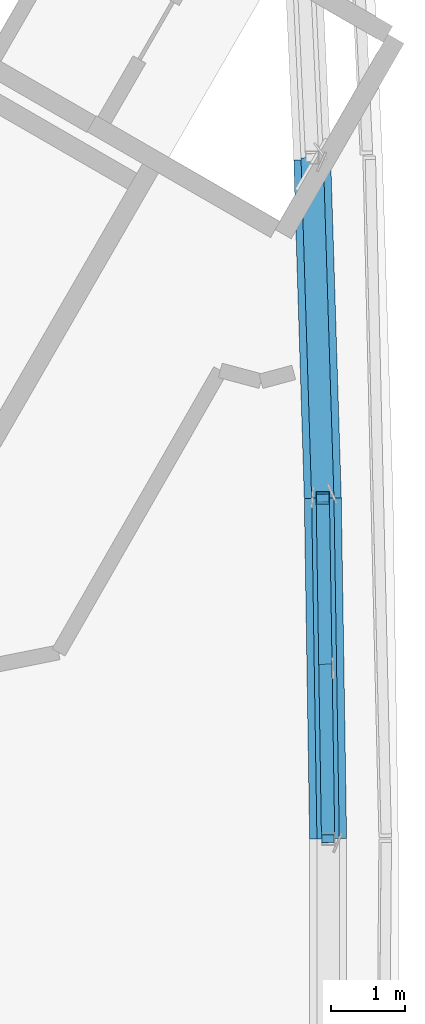
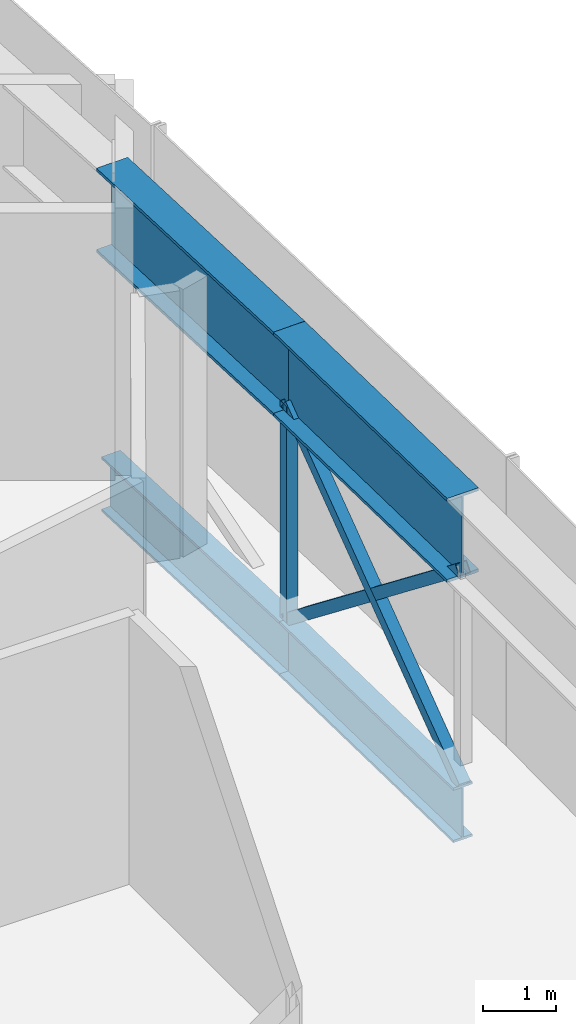
# One storey, part 6 of 21: 4 beams, 4 members.
"""IFC4 building model written with IfcOpenShell, lengths in metres."""

from ifc_helpers import new_model, si_unit, direction, frame, origin, origin_2d, place, context, subcontext, project, spatial, hollow_rectangle, i_section, extrude, material, material_profile, profile_set, type_object, element, save


model = new_model("IFC4")

# Units and contexts
model_context = context("Model", 3, precision=1e-05, world=origin(), true_north=direction((0.0, 1.0)))
body_context = subcontext(model_context, "Body", "Model", "MODEL_VIEW")
ifc_project = project(units=[si_unit("LENGTHUNIT", "METRE"), si_unit("AREAUNIT", "SQUARE_METRE"), si_unit("VOLUMEUNIT", "CUBIC_METRE"), si_unit("PLANEANGLEUNIT", "RADIAN"), si_unit("MASSUNIT", "GRAM", prefix="KILO")], contexts=[model_context])

# Site, building, storey
site_placement = place(None, origin())
site = spatial("IfcSite", under=ifc_project, at=site_placement, CompositionType="ELEMENT")
building_placement = place(site_placement, origin())
building = spatial("IfcBuilding", under=site, at=building_placement, Name="Tamra Quay Hotel Tower", CompositionType="ELEMENT")
storey_placement = place(building_placement, frame((0.0, 0.0, 301.800048828125)))
storey = spatial("IfcBuildingStorey", under=building, at=storey_placement, Name="L76", CompositionType="ELEMENT", Elevation=301.800048828125)

# Members
ifc_material = material(Name="Structural steel IS 2062 E350", Category="steel")
ifc_material_profile_1 = material_profile(ifc_material, hollow_rectangle(XDim=0.179931640625, YDim=0.179931640625, WallThickness=0.008056640625, at=origin_2d()), Name="SHS 180x180x8")
ifc_profile_set_1 = profile_set([ifc_material_profile_1], Name="Structural steel IS 2062 E350")
member_type = type_object("IfcMemberType", Name="BELT BRACE SHS 180x180x8 Z6", PredefinedType="BRACE", material=ifc_profile_set_1)
member_1_placement = place(storey_placement, frame((15.634033203125, 2.303466796875, -0.400146484375), z_axis=(-0.012318074418, 0.78785568857, 0.615736696187), x_axis=(-0.999877796769, -0.01563302682, 0.0)))
element("IfcMember", 1, at=member_1_placement, inside=storey, type_object=member_type, Name="BR-L76-009", PredefinedType="BRACE", context=body_context, shape_type="SweptSolid", body=[
    extrude(hollow_rectangle(XDim=0.179931640625, YDim=0.179931640625, WallThickness=0.008056640625, at=origin_2d()), origin(), (0.0, 0.0, 1.0), 5.846923828125),
])
for number, where, z_axis, x_axis, name in (
    (2, (15.56201171875, 6.909912109375, -0.400146484375), (0.012359824235, -0.787855282645, 0.615736378942), (0.999876967022, 0.015686007115, 0.0), "BR-L76-010"),
    (3, (15.59814453125, 4.606689453125, 1.39990234375), (0.012276324538, -0.787856093121, 0.615737012358), (0.999878623711, 0.015580046394, 0.0), "BR-L76-010B"),
):
    element("IfcMember", number, at=place(storey_placement, frame(where, z_axis=z_axis, x_axis=x_axis)), inside=storey, type_object=member_type, Name=name, PredefinedType="BRACE", context=body_context, shape_type="SweptSolid", body=[
        extrude(hollow_rectangle(XDim=0.179931640625, YDim=0.179931640625, WallThickness=0.008056640625, at=origin_2d()), origin(), (0.0, 0.0, 1.0), 2.92333984375),
    ])
member_2_placement = place(storey_placement, frame((15.56201171875, 6.909912109375, -0.400146484375), z_axis=(0.0, 0.0, 1.0), x_axis=(1.0, 0.0, 0.0)))
element("IfcMember", 4, at=member_2_placement, inside=storey, type_object=member_type, Name="BR-L76-011", PredefinedType="BRACE", context=body_context, shape_type="SweptSolid", body=[
    extrude(hollow_rectangle(XDim=0.179931640625, YDim=0.179931640625, WallThickness=0.008056640625, at=origin_2d()), origin(), (0.0, 0.0, 1.0), 3.60009765625),
])

# Beams
ifc_material_profile_2 = material_profile(ifc_material, i_section(OverallWidth=0.302001953125, OverallDepth=0.909912109375, WebThickness=0.027099609375, FlangeThickness=0.0400390625, at=origin_2d()), Name="WPB 900x300x333")
ifc_profile_set_2 = profile_set([ifc_material_profile_2], Name="Structural steel IS 2062 E350")
beam_type_1 = type_object("IfcBeamType", Name="BELT CHORD WPB 900x300x333 Z6", PredefinedType="BEAM", material=ifc_profile_set_2)
beam_1_placement = place(storey_placement, frame((15.634033203125, 2.303466796875, -0.85498046875), z_axis=(-0.01563302682, 0.999877796769, 0.0), x_axis=(-0.999877796769, -0.01563302682, 0.0)))
element("IfcBeam", 5, at=beam_1_placement, inside=storey, type_object=beam_type_1, Name="BM-CHB-L76-004", PredefinedType="BEAM", context=body_context, shape_type="SweptSolid", body=[
    extrude(i_section(OverallWidth=0.302001953125, OverallDepth=0.909912109375, WebThickness=0.027099609375, FlangeThickness=0.0400390625, at=origin_2d()), origin(), (0.0, 0.0, 1.0), 4.60693359375),
])
beam_2_placement = place(storey_placement, frame((15.56201171875, 6.909912109375, -0.85498046875), z_axis=(-0.03120993847, 0.999512851213, 0.0), x_axis=(-0.999512851213, -0.03120993847, 0.0)))
element("IfcBeam", 6, at=beam_2_placement, inside=storey, type_object=beam_type_1, Name="BM-CHB-L76-005", PredefinedType="BEAM", context=body_context, shape_type="SweptSolid", body=[
    extrude(i_section(OverallWidth=0.302001953125, OverallDepth=0.909912109375, WebThickness=0.027099609375, FlangeThickness=0.0400390625, at=origin_2d()), origin(), (0.0, 0.0, 1.0), 4.607421875),
])
ifc_material_profile_3 = material_profile(ifc_material, i_section(OverallWidth=0.5, OverallDepth=1.39990234375, WebThickness=0.02490234375, FlangeThickness=0.050048828125, at=origin_2d()), Name="WPG 1400x500x25x50")
ifc_profile_set_3 = profile_set([ifc_material_profile_3], Name="Structural steel IS 2062 E350")
beam_type_2 = type_object("IfcBeamType", Name="BELT TOP CHORD WPG 1400x500x25x50 Z6", PredefinedType="USERDEFINED", material=ifc_profile_set_3)
beam_3_placement = place(storey_placement, frame((15.634033203125, 2.303466796875, 3.75), z_axis=(-0.01563302682, 0.999877796769, 0.0), x_axis=(-0.999877796769, -0.01563302682, 0.0)))
element("IfcBeam", 7, at=beam_3_placement, inside=storey, type_object=beam_type_2, Name="BM-CHT-L76-004", ObjectType="TRANSFER GIRDER", PredefinedType="USERDEFINED", context=body_context, shape_type="SweptSolid", body=[
    extrude(i_section(OverallWidth=0.5, OverallDepth=1.39990234375, WebThickness=0.02490234375, FlangeThickness=0.050048828125, at=origin_2d()), origin(), (0.0, 0.0, 1.0), 4.60693359375),
])
beam_4_placement = place(storey_placement, frame((15.56201171875, 6.909912109375, 3.75), z_axis=(-0.03118981093, 0.999513479496, 0.0), x_axis=(-0.999513479496, -0.03118981093, 0.0)))
element("IfcBeam", 8, at=beam_4_placement, inside=storey, type_object=beam_type_2, Name="BM-CHT-L76-005", ObjectType="TRANSFER GIRDER", PredefinedType="USERDEFINED", context=body_context, shape_type="SweptSolid", body=[
    extrude(i_section(OverallWidth=0.5, OverallDepth=1.39990234375, WebThickness=0.02490234375, FlangeThickness=0.050048828125, at=origin_2d()), origin(), (0.0, 0.0, 1.0), 4.5791015625),
])

save(model, "model.ifc")
